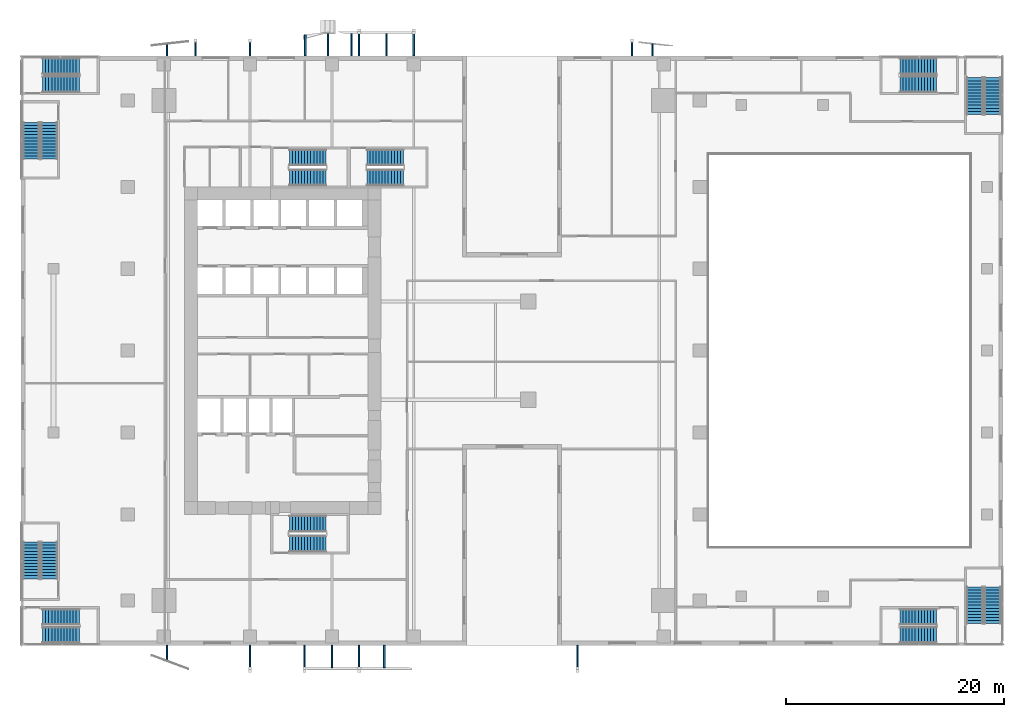
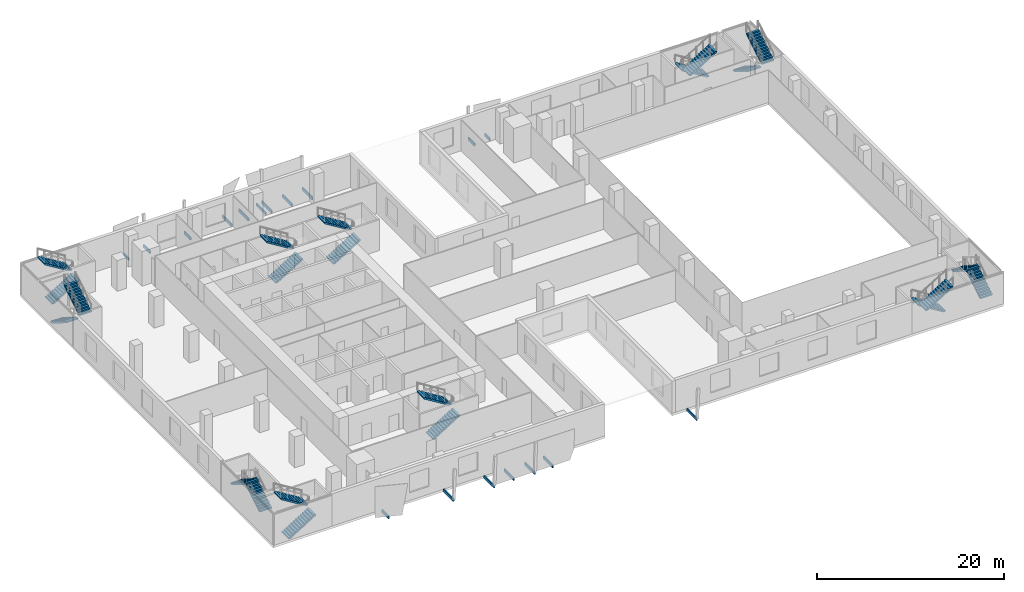
# One storey, part 15 of 21: 22 stair flights, 18 discrete accessories, 11 elements without a shape of their own.
"""IFC4 building model written with IfcOpenShell, lengths in metres."""

from ifc_helpers import new_model, si_unit, direction, frame, origin, origin_2d, place, context, subcontext, project, spatial, polyline, rectangle, outline, extrude, source, transform, mapped, material, type_object, element, aggregate, save


model = new_model("IFC4")

# Units and contexts
model_context = context("Model", 3, precision=1e-05, world=origin(), true_north=direction((0.0, 1.0)))
body_context = subcontext(model_context, "Body", "Model", "MODEL_VIEW")
ifc_project = project(units=[si_unit("LENGTHUNIT", "METRE"), si_unit("AREAUNIT", "SQUARE_METRE"), si_unit("VOLUMEUNIT", "CUBIC_METRE"), si_unit("PLANEANGLEUNIT", "RADIAN"), si_unit("MASSUNIT", "GRAM", prefix="KILO")], contexts=[model_context])

# Site, building, storey
site_placement = place(None, origin())
site = spatial("IfcSite", under=ifc_project, at=site_placement, CompositionType="ELEMENT")
building_placement = place(site_placement, origin())
building = spatial("IfcBuilding", under=site, at=building_placement, Name="Khomas Fold Tower", CompositionType="ELEMENT")
storey_placement = place(building_placement, frame((0.0, 0.0, 28.5)))
storey = spatial("IfcBuildingStorey", under=building, at=storey_placement, Name="L05", CompositionType="ELEMENT", Elevation=28.5)

# Stair, stair flights
ifc_material_1 = material(Name="Concrete C40/50", Category="concrete")
stair_type_1 = type_object("IfcStairType", Name="Stair ST1", PredefinedType="HALF_TURN_STAIR", material=ifc_material_1)
stair_1_placement = place(storey_placement, origin())
stair_1 = element("IfcStair", 1, at=stair_1_placement, inside=storey, type_object=stair_type_1, Name="L05 ST1", PredefinedType="HALF_TURN_STAIR")
ifc_material_2 = material(Name="Concrete C40/50", Category="concrete")
stair_flight_type_1 = type_object("IfcStairFlightType", Name="Stair flight 1500 ST1", PredefinedType="STRAIGHT", material=ifc_material_2)
shared_shape_1 = source(origin(), body_context, "Body", "SweptSolid", [
    extrude(outline(polyline([(0.0, 0.0), (0.0, 0.013427734375), (0.0, 0.026611328125), (0.0, 0.0400390625), (0.0, 0.05322265625), (0.0, 0.066650390625), (0.0, 0.079833984375), (0.0, 0.09326171875), (0.0, 0.1064453125), (0.0, 0.119873046875), (0.0, 0.133056640625), (0.0, 0.146484375), (0.0, 0.15966796875), (0.0, 0.173095703125), (0.280029296875, 0.173095703125), (0.280029296875, 0.34619140625), (0.56005859375, 0.34619140625), (0.56005859375, 0.519287109375), (0.840087890625, 0.519287109375), (0.840087890625, 0.6923828125), (1.1201171875, 0.6923828125), (1.1201171875, 0.865478515625), (1.39990234375, 0.865478515625), (1.39990234375, 1.03857421875), (1.679931640625, 1.03857421875), (1.679931640625, 1.21142578125), (1.9599609375, 1.21142578125), (1.9599609375, 1.384521484375), (2.239990234375, 1.384521484375), (2.239990234375, 1.5576171875), (2.52001953125, 1.5576171875), (2.52001953125, 1.730712890625), (2.800048828125, 1.730712890625), (2.800048828125, 1.90380859375), (3.080078125, 1.90380859375), (3.080078125, 2.076904296875), (3.360107421875, 2.076904296875), (3.360107421875, 2.25), (3.360107421875, 2.22314453125), (3.360107421875, 2.1962890625), (3.360107421875, 2.16943359375), (3.360107421875, 2.142578125), (3.360107421875, 2.11572265625), (3.360107421875, 2.0888671875), (3.360107421875, 2.06201171875), (3.360107421875, 2.03515625), (3.360107421875, 2.008056640625), (3.360107421875, 1.981201171875), (3.360107421875, 1.954345703125), (3.360107421875, 1.927490234375), (3.360107421875, 1.900634765625), (0.28515625, 0.0), (0.0, 0.0)])), frame((0.0, 0.75, 0.0), z_axis=(0.0, -1.0, 0.0), x_axis=(1.0, 0.0, 0.0)), (0.0, 0.0, 1.0), 1.5),
])
stair_flight_1_placement = place(storey_placement, frame((15.60009765625, 42.85009765625, 0.0), z_axis=(0.0, 0.0, 1.0), x_axis=(1.0, 0.0, 0.0)))
stair_flight_1 = element("IfcStairFlight", 2, at=stair_flight_1_placement, type_object=stair_flight_type_1, Name="ST1 flight 1", NumberOfRisers=13, NumberOfTreads=12, PredefinedType="STRAIGHT", RiserHeight=0.173076923, TreadLength=0.28, context=body_context, shape_type="MappedRepresentation", body=[
    mapped(shared_shape_1, transform((0.0, 0.0, 0.0))),
])
stair_flight_2_placement = place(storey_placement, frame((18.9599609375, 44.699951171875, 2.25), z_axis=(0.0, 0.0, 1.0), x_axis=(-1.0, 0.0, 0.0)))
stair_flight_2 = element("IfcStairFlight", 3, at=stair_flight_2_placement, type_object=stair_flight_type_1, Name="ST1 flight 2", NumberOfRisers=13, NumberOfTreads=12, PredefinedType="STRAIGHT", RiserHeight=0.173076923, TreadLength=0.28, context=body_context, shape_type="MappedRepresentation", body=[
    mapped(shared_shape_1, transform((0.0, 0.0, 0.0))),
])
aggregate(stair_1, [stair_flight_1, stair_flight_2])

ifc_material_3 = material(Name="Concrete C40/50", Category="concrete")
stair_type_2 = type_object("IfcStairType", Name="Stair ST2", PredefinedType="HALF_TURN_STAIR", material=ifc_material_3)
stair_2_placement = place(storey_placement, origin())
stair_2 = element("IfcStair", 4, at=stair_2_placement, inside=storey, type_object=stair_type_2, Name="L05 ST2", PredefinedType="HALF_TURN_STAIR")
ifc_material_4 = material(Name="Concrete C40/50", Category="concrete")
stair_flight_type_2 = type_object("IfcStairFlightType", Name="Stair flight 1500 ST2", PredefinedType="STRAIGHT", material=ifc_material_4)
stair_flight_3_placement = place(storey_placement, frame((15.60009765625, 9.300048828125, 0.0), z_axis=(0.0, 0.0, 1.0), x_axis=(1.0, 0.0, 0.0)))
stair_flight_3 = element("IfcStairFlight", 5, at=stair_flight_3_placement, type_object=stair_flight_type_2, Name="ST2 flight 1", NumberOfRisers=13, NumberOfTreads=12, PredefinedType="STRAIGHT", RiserHeight=0.173076923, TreadLength=0.28, context=body_context, shape_type="MappedRepresentation", body=[
    mapped(shared_shape_1, transform((0.0, 0.0, 0.0))),
])
stair_flight_4_placement = place(storey_placement, frame((18.9599609375, 11.14990234375, 2.25), z_axis=(0.0, 0.0, 1.0), x_axis=(-1.0, 0.0, 0.0)))
stair_flight_4 = element("IfcStairFlight", 6, at=stair_flight_4_placement, type_object=stair_flight_type_2, Name="ST2 flight 2", NumberOfRisers=13, NumberOfTreads=12, PredefinedType="STRAIGHT", RiserHeight=0.173076923, TreadLength=0.28, context=body_context, shape_type="MappedRepresentation", body=[
    mapped(shared_shape_1, transform((0.0, 0.0, 0.0))),
])
aggregate(stair_2, [stair_flight_3, stair_flight_4])

ifc_material_5 = material(Name="Concrete C40/50", Category="concrete")
stair_type_3 = type_object("IfcStairType", Name="Stair ST3", PredefinedType="HALF_TURN_STAIR", material=ifc_material_5)
stair_3_placement = place(storey_placement, origin())
stair_3 = element("IfcStair", 7, at=stair_3_placement, inside=storey, type_object=stair_type_3, Name="L05 ST3", PredefinedType="HALF_TURN_STAIR")
ifc_material_6 = material(Name="Concrete C40/50", Category="concrete")
stair_flight_type_3 = type_object("IfcStairFlightType", Name="Stair flight 1500 ST3", PredefinedType="STRAIGHT", material=ifc_material_6)
stair_flight_5_placement = place(storey_placement, frame((22.699951171875, 42.85009765625, 0.0), z_axis=(0.0, 0.0, 1.0), x_axis=(1.0, 0.0, 0.0)))
stair_flight_5 = element("IfcStairFlight", 8, at=stair_flight_5_placement, type_object=stair_flight_type_3, Name="ST3 flight 1", NumberOfRisers=13, NumberOfTreads=12, PredefinedType="STRAIGHT", RiserHeight=0.173076923, TreadLength=0.28, context=body_context, shape_type="MappedRepresentation", body=[
    mapped(shared_shape_1, transform((0.0, 0.0, 0.0))),
])
stair_flight_6_placement = place(storey_placement, frame((26.06005859375, 44.699951171875, 2.25), z_axis=(0.0, 0.0, 1.0), x_axis=(-1.0, 0.0, 0.0)))
stair_flight_6 = element("IfcStairFlight", 9, at=stair_flight_6_placement, type_object=stair_flight_type_3, Name="ST3 flight 2", NumberOfRisers=13, NumberOfTreads=12, PredefinedType="STRAIGHT", RiserHeight=0.173076923, TreadLength=0.28, context=body_context, shape_type="MappedRepresentation", body=[
    mapped(shared_shape_1, transform((0.0, 0.0, 0.0))),
])
aggregate(stair_3, [stair_flight_5, stair_flight_6])

ifc_material_7 = material(Name="Concrete C40/50", Category="concrete")
stair_type_4 = type_object("IfcStairType", Name="Stair PS1", PredefinedType="HALF_TURN_STAIR", material=ifc_material_7)
stair_4_placement = place(storey_placement, origin())
stair_4 = element("IfcStair", 10, at=stair_4_placement, inside=storey, type_object=stair_type_4, Name="L05 PS1", PredefinedType="HALF_TURN_STAIR")
ifc_material_8 = material(Name="Concrete C40/50", Category="concrete")
stair_flight_type_4 = type_object("IfcStairFlightType", Name="Stair flight 1500 PS1", PredefinedType="STRAIGHT", material=ifc_material_8)
stair_flight_7_placement = place(storey_placement, frame((-7.0, 0.949951171875, 0.0), z_axis=(0.0, 0.0, 1.0), x_axis=(1.0, 0.0, 0.0)))
stair_flight_7 = element("IfcStairFlight", 11, at=stair_flight_7_placement, type_object=stair_flight_type_4, Name="PS1 flight 1", NumberOfRisers=13, NumberOfTreads=12, PredefinedType="STRAIGHT", RiserHeight=0.173076923, TreadLength=0.28, context=body_context, shape_type="MappedRepresentation", body=[
    mapped(shared_shape_1, transform((0.0, 0.0, 0.0))),
])
stair_flight_8_placement = place(storey_placement, frame((-3.639892578125, 2.60009765625, 2.25), z_axis=(0.0, 0.0, 1.0), x_axis=(-1.0, 0.0, 0.0)))
stair_flight_8 = element("IfcStairFlight", 12, at=stair_flight_8_placement, type_object=stair_flight_type_4, Name="PS1 flight 2", NumberOfRisers=13, NumberOfTreads=12, PredefinedType="STRAIGHT", RiserHeight=0.173076923, TreadLength=0.28, context=body_context, shape_type="MappedRepresentation", body=[
    mapped(shared_shape_1, transform((0.0, 0.0, 0.0))),
])
aggregate(stair_4, [stair_flight_7, stair_flight_8])

ifc_material_9 = material(Name="Concrete C40/50", Category="concrete")
stair_type_5 = type_object("IfcStairType", Name="Stair PS2", PredefinedType="HALF_TURN_STAIR", material=ifc_material_9)
stair_5_placement = place(storey_placement, origin())
stair_5 = element("IfcStair", 13, at=stair_5_placement, inside=storey, type_object=stair_type_5, Name="L05 PS2", PredefinedType="HALF_TURN_STAIR")
ifc_material_10 = material(Name="Concrete C40/50", Category="concrete")
stair_flight_type_5 = type_object("IfcStairFlightType", Name="Stair flight 1500 PS2", PredefinedType="STRAIGHT", material=ifc_material_10)
stair_flight_9_placement = place(storey_placement, frame((-6.39990234375, 6.10009765625, 0.0), z_axis=(0.0, 0.0, 1.0), x_axis=(0.0, 1.0, 0.0)))
stair_flight_9 = element("IfcStairFlight", 14, at=stair_flight_9_placement, type_object=stair_flight_type_5, Name="PS2 flight 1", NumberOfRisers=13, NumberOfTreads=12, PredefinedType="STRAIGHT", RiserHeight=0.173076923, TreadLength=0.28, context=body_context, shape_type="MappedRepresentation", body=[
    mapped(shared_shape_1, transform((0.0, 0.0, 0.0))),
])
stair_flight_10_placement = place(storey_placement, frame((-8.050048828125, 9.4599609375, 2.25), z_axis=(0.0, 0.0, 1.0), x_axis=(0.0, -1.0, 0.0)))
stair_flight_10 = element("IfcStairFlight", 15, at=stair_flight_10_placement, type_object=stair_flight_type_5, Name="PS2 flight 2", NumberOfRisers=13, NumberOfTreads=12, PredefinedType="STRAIGHT", RiserHeight=0.173076923, TreadLength=0.28, context=body_context, shape_type="MappedRepresentation", body=[
    mapped(shared_shape_1, transform((0.0, 0.0, 0.0))),
])
aggregate(stair_5, [stair_flight_9, stair_flight_10])

ifc_material_11 = material(Name="Concrete C40/50", Category="concrete")
stair_type_6 = type_object("IfcStairType", Name="Stair PS3", PredefinedType="HALF_TURN_STAIR", material=ifc_material_11)
stair_6_placement = place(storey_placement, origin())
stair_6 = element("IfcStair", 16, at=stair_6_placement, inside=storey, type_object=stair_type_6, Name="L05 PS3", PredefinedType="HALF_TURN_STAIR")
ifc_material_12 = material(Name="Concrete C40/50", Category="concrete")
stair_flight_type_6 = type_object("IfcStairFlightType", Name="Stair flight 1500 PS3", PredefinedType="STRAIGHT", material=ifc_material_12)
stair_flight_11_placement = place(storey_placement, frame((74.89990234375, 2.60009765625, 0.0), z_axis=(0.0, 0.0, 1.0), x_axis=(-1.0, 0.0, 0.0)))
stair_flight_11 = element("IfcStairFlight", 17, at=stair_flight_11_placement, type_object=stair_flight_type_6, Name="PS3 flight 1", NumberOfRisers=13, NumberOfTreads=12, PredefinedType="STRAIGHT", RiserHeight=0.173076923, TreadLength=0.28, context=body_context, shape_type="MappedRepresentation", body=[
    mapped(shared_shape_1, transform((0.0, 0.0, 0.0))),
])
stair_flight_12_placement = place(storey_placement, frame((71.5400390625, 0.949951171875, 2.25), z_axis=(0.0, 0.0, 1.0), x_axis=(1.0, 0.0, 0.0)))
stair_flight_12 = element("IfcStairFlight", 18, at=stair_flight_12_placement, type_object=stair_flight_type_6, Name="PS3 flight 2", NumberOfRisers=13, NumberOfTreads=12, PredefinedType="STRAIGHT", RiserHeight=0.173076923, TreadLength=0.28, context=body_context, shape_type="MappedRepresentation", body=[
    mapped(shared_shape_1, transform((0.0, 0.0, 0.0))),
])
aggregate(stair_6, [stair_flight_11, stair_flight_12])

ifc_material_13 = material(Name="Concrete C40/50", Category="concrete")
stair_type_7 = type_object("IfcStairType", Name="Stair PS4", PredefinedType="HALF_TURN_STAIR", material=ifc_material_13)
stair_7_placement = place(storey_placement, origin())
stair_7 = element("IfcStair", 19, at=stair_7_placement, inside=storey, type_object=stair_type_7, Name="L05 PS4", PredefinedType="HALF_TURN_STAIR")
ifc_material_14 = material(Name="Concrete C40/50", Category="concrete")
stair_flight_type_7 = type_object("IfcStairFlightType", Name="Stair flight 1500 PS4", PredefinedType="STRAIGHT", material=ifc_material_14)
stair_flight_13_placement = place(storey_placement, frame((80.050048828125, 2.0, 0.0), z_axis=(0.0, 0.0, 1.0), x_axis=(0.0, 1.0, 0.0)))
stair_flight_13 = element("IfcStairFlight", 20, at=stair_flight_13_placement, type_object=stair_flight_type_7, Name="PS4 flight 1", NumberOfRisers=13, NumberOfTreads=12, PredefinedType="STRAIGHT", RiserHeight=0.173076923, TreadLength=0.28, context=body_context, shape_type="MappedRepresentation", body=[
    mapped(shared_shape_1, transform((0.0, 0.0, 0.0))),
])
stair_flight_14_placement = place(storey_placement, frame((78.39990234375, 5.360107421875, 2.25), z_axis=(0.0, 0.0, 1.0), x_axis=(0.0, -1.0, 0.0)))
stair_flight_14 = element("IfcStairFlight", 21, at=stair_flight_14_placement, type_object=stair_flight_type_7, Name="PS4 flight 2", NumberOfRisers=13, NumberOfTreads=12, PredefinedType="STRAIGHT", RiserHeight=0.173076923, TreadLength=0.28, context=body_context, shape_type="MappedRepresentation", body=[
    mapped(shared_shape_1, transform((0.0, 0.0, 0.0))),
])
aggregate(stair_7, [stair_flight_13, stair_flight_14])

ifc_material_15 = material(Name="Concrete C40/50", Category="concrete")
stair_type_8 = type_object("IfcStairType", Name="Stair PS5", PredefinedType="HALF_TURN_STAIR", material=ifc_material_15)
stair_8_placement = place(storey_placement, origin())
stair_8 = element("IfcStair", 22, at=stair_8_placement, inside=storey, type_object=stair_type_8, Name="L05 PS5", PredefinedType="HALF_TURN_STAIR")
ifc_material_16 = material(Name="Concrete C40/50", Category="concrete")
stair_flight_type_8 = type_object("IfcStairFlightType", Name="Stair flight 1500 PS5", PredefinedType="STRAIGHT", material=ifc_material_16)
stair_flight_15_placement = place(storey_placement, frame((74.89990234375, 53.050048828125, 0.0), z_axis=(0.0, 0.0, 1.0), x_axis=(-1.0, 0.0, 0.0)))
stair_flight_15 = element("IfcStairFlight", 23, at=stair_flight_15_placement, type_object=stair_flight_type_8, Name="PS5 flight 1", NumberOfRisers=13, NumberOfTreads=12, PredefinedType="STRAIGHT", RiserHeight=0.173076923, TreadLength=0.28, context=body_context, shape_type="MappedRepresentation", body=[
    mapped(shared_shape_1, transform((0.0, 0.0, 0.0))),
])
stair_flight_16_placement = place(storey_placement, frame((71.5400390625, 51.39990234375, 2.25), z_axis=(0.0, 0.0, 1.0), x_axis=(1.0, 0.0, 0.0)))
stair_flight_16 = element("IfcStairFlight", 24, at=stair_flight_16_placement, type_object=stair_flight_type_8, Name="PS5 flight 2", NumberOfRisers=13, NumberOfTreads=12, PredefinedType="STRAIGHT", RiserHeight=0.173076923, TreadLength=0.28, context=body_context, shape_type="MappedRepresentation", body=[
    mapped(shared_shape_1, transform((0.0, 0.0, 0.0))),
])
aggregate(stair_8, [stair_flight_15, stair_flight_16])

ifc_material_17 = material(Name="Concrete C40/50", Category="concrete")
stair_type_9 = type_object("IfcStairType", Name="Stair PS6", PredefinedType="HALF_TURN_STAIR", material=ifc_material_17)
stair_9_placement = place(storey_placement, origin())
stair_9 = element("IfcStair", 25, at=stair_9_placement, inside=storey, type_object=stair_type_9, Name="L05 PS6", PredefinedType="HALF_TURN_STAIR")
ifc_material_18 = material(Name="Concrete C40/50", Category="concrete")
stair_flight_type_9 = type_object("IfcStairFlightType", Name="Stair flight 1500 PS6", PredefinedType="STRAIGHT", material=ifc_material_18)
stair_flight_17_placement = place(storey_placement, frame((78.39990234375, 52.0, 0.0), z_axis=(0.0, 0.0, 1.0), x_axis=(0.0, -1.0, 0.0)))
stair_flight_17 = element("IfcStairFlight", 26, at=stair_flight_17_placement, type_object=stair_flight_type_9, Name="PS6 flight 1", NumberOfRisers=13, NumberOfTreads=12, PredefinedType="STRAIGHT", RiserHeight=0.173076923, TreadLength=0.28, context=body_context, shape_type="MappedRepresentation", body=[
    mapped(shared_shape_1, transform((0.0, 0.0, 0.0))),
])
stair_flight_18_placement = place(storey_placement, frame((80.050048828125, 48.639892578125, 2.25), z_axis=(0.0, 0.0, 1.0), x_axis=(0.0, 1.0, 0.0)))
stair_flight_18 = element("IfcStairFlight", 27, at=stair_flight_18_placement, type_object=stair_flight_type_9, Name="PS6 flight 2", NumberOfRisers=13, NumberOfTreads=12, PredefinedType="STRAIGHT", RiserHeight=0.173076923, TreadLength=0.28, context=body_context, shape_type="MappedRepresentation", body=[
    mapped(shared_shape_1, transform((0.0, 0.0, 0.0))),
])
aggregate(stair_9, [stair_flight_17, stair_flight_18])

ifc_material_19 = material(Name="Concrete C40/50", Category="concrete")
stair_type_10 = type_object("IfcStairType", Name="Stair PS7", PredefinedType="HALF_TURN_STAIR", material=ifc_material_19)
stair_10_placement = place(storey_placement, origin())
stair_10 = element("IfcStair", 28, at=stair_10_placement, inside=storey, type_object=stair_type_10, Name="L05 PS7", PredefinedType="HALF_TURN_STAIR")
ifc_material_20 = material(Name="Concrete C40/50", Category="concrete")
stair_flight_type_10 = type_object("IfcStairFlightType", Name="Stair flight 1500 PS7", PredefinedType="STRAIGHT", material=ifc_material_20)
stair_flight_19_placement = place(storey_placement, frame((-7.0, 51.39990234375, 0.0), z_axis=(0.0, 0.0, 1.0), x_axis=(1.0, 0.0, 0.0)))
stair_flight_19 = element("IfcStairFlight", 29, at=stair_flight_19_placement, type_object=stair_flight_type_10, Name="PS7 flight 1", NumberOfRisers=13, NumberOfTreads=12, PredefinedType="STRAIGHT", RiserHeight=0.173076923, TreadLength=0.28, context=body_context, shape_type="MappedRepresentation", body=[
    mapped(shared_shape_1, transform((0.0, 0.0, 0.0))),
])
stair_flight_20_placement = place(storey_placement, frame((-3.639892578125, 53.050048828125, 2.25), z_axis=(0.0, 0.0, 1.0), x_axis=(-1.0, 0.0, 0.0)))
stair_flight_20 = element("IfcStairFlight", 30, at=stair_flight_20_placement, type_object=stair_flight_type_10, Name="PS7 flight 2", NumberOfRisers=13, NumberOfTreads=12, PredefinedType="STRAIGHT", RiserHeight=0.173076923, TreadLength=0.28, context=body_context, shape_type="MappedRepresentation", body=[
    mapped(shared_shape_1, transform((0.0, 0.0, 0.0))),
])
aggregate(stair_10, [stair_flight_19, stair_flight_20])

ifc_material_21 = material(Name="Concrete C40/50", Category="concrete")
stair_type_11 = type_object("IfcStairType", Name="Stair PS8", PredefinedType="HALF_TURN_STAIR", material=ifc_material_21)
stair_11_placement = place(storey_placement, origin())
stair_11 = element("IfcStair", 31, at=stair_11_placement, inside=storey, type_object=stair_type_11, Name="L05 PS8", PredefinedType="HALF_TURN_STAIR")
ifc_material_22 = material(Name="Concrete C40/50", Category="concrete")
stair_flight_type_11 = type_object("IfcStairFlightType", Name="Stair flight 1500 PS8", PredefinedType="STRAIGHT", material=ifc_material_22)
stair_flight_21_placement = place(storey_placement, frame((-8.050048828125, 47.89990234375, 0.0), z_axis=(0.0, 0.0, 1.0), x_axis=(0.0, -1.0, 0.0)))
stair_flight_21 = element("IfcStairFlight", 32, at=stair_flight_21_placement, type_object=stair_flight_type_11, Name="PS8 flight 1", NumberOfRisers=13, NumberOfTreads=12, PredefinedType="STRAIGHT", RiserHeight=0.173076923, TreadLength=0.28, context=body_context, shape_type="MappedRepresentation", body=[
    mapped(shared_shape_1, transform((0.0, 0.0, 0.0))),
])
stair_flight_22_placement = place(storey_placement, frame((-6.39990234375, 44.5400390625, 2.25), z_axis=(0.0, 0.0, 1.0), x_axis=(0.0, 1.0, 0.0)))
stair_flight_22 = element("IfcStairFlight", 33, at=stair_flight_22_placement, type_object=stair_flight_type_11, Name="PS8 flight 2", NumberOfRisers=13, NumberOfTreads=12, PredefinedType="STRAIGHT", RiserHeight=0.173076923, TreadLength=0.28, context=body_context, shape_type="MappedRepresentation", body=[
    mapped(shared_shape_1, transform((0.0, 0.0, 0.0))),
])
aggregate(stair_11, [stair_flight_21, stair_flight_22])

# Discrete accessories
ifc_material_23 = material(Name="Stainless steel", Category="steel")
discrete_accessory_type = type_object("IfcDiscreteAccessoryType", Name="SK-Stainless steel stone bracket", PredefinedType="BRACKET", material=ifc_material_23)
shared_shape_2 = source(origin(), body_context, "Body", "SweptSolid", [
    extrude(rectangle(XDim=1.098388671875, YDim=0.14990234375, at=origin_2d()), origin(), (0.0, 0.0, 1.0), 0.360107421875),
])
discrete_accessory_1_placement = place(storey_placement, frame((48.88623046875, 54.54931640625, -0.30029296875), z_axis=(0.0, 0.0, 1.0), x_axis=(0.0, 1.0, 0.0)))
element("IfcDiscreteAccessory", 34, at=discrete_accessory_1_placement, inside=storey, type_object=discrete_accessory_type, Name="Stone bracket L05 NG107-10-1", PredefinedType="BRACKET", context=body_context, shape_type="MappedRepresentation", body=[
    mapped(shared_shape_2, transform((0.0, 0.0, 0.0))),
])
shared_shape_3 = source(origin(), body_context, "Body", "SweptSolid", [
    extrude(rectangle(XDim=2.027099609375, YDim=0.14990234375, at=origin_2d()), origin(), (0.0, 0.0, 1.0), 0.360107421875),
])
for number, where, z_axis, x_axis, name in (
    (35, (19.1357421875, 55.013671875, -0.30029296875), (0.0, 0.0, 1.0), (0.0, 1.0, 0.0), "Stone bracket L05 NS05-1-1"),
    (36, (19.5, -1.013671875, -0.30029296875), (0.0, 0.0, 1.0), (0.0, -1.0, 0.0), "Stone bracket L05 SG101-4-1"),
    (37, (24.29443359375, -1.013671875, -0.30029296875), (0.0, 0.0, 1.0), (0.0, -1.0, 0.0), "Stone bracket L05 SG102-6-1"),
    (38, (21.28662109375, 55.013671875, -0.30029296875), (0.0, 0.0, 1.0), (0.0, 1.0, 0.0), "Stone bracket L05 NG101-5-1"),
    (39, (24.5, 55.013671875, -0.30029296875), (0.0, 0.0, 1.0), (0.0, 1.0, 0.0), "Stone bracket L05 NG102-7-1"),
):
    element("IfcDiscreteAccessory", number, at=place(storey_placement, frame(where, z_axis=z_axis, x_axis=x_axis)), inside=storey, type_object=discrete_accessory_type, Name=name, PredefinedType="BRACKET", context=body_context, shape_type="MappedRepresentation", body=[
        mapped(shared_shape_3, transform((0.0, 0.0, 0.0))),
    ])
shared_shape_4 = source(origin(), body_context, "Body", "SweptSolid", [
    extrude(rectangle(XDim=1.467529296875, YDim=0.14990234375, at=origin_2d()), origin(), (0.0, 0.0, 1.0), 0.360107421875),
])
discrete_accessory_2_placement = place(storey_placement, frame((4.38623046875, -0.733642578125, -0.30029296875), z_axis=(0.0, 0.0, 1.0), x_axis=(0.0, -1.0, 0.0)))
element("IfcDiscreteAccessory", 40, at=discrete_accessory_2_placement, inside=storey, type_object=discrete_accessory_type, Name="Stone bracket L05 SG098-1-1", PredefinedType="BRACKET", context=body_context, shape_type="MappedRepresentation", body=[
    mapped(shared_shape_4, transform((0.0, 0.0, 0.0))),
])
shared_shape_5 = source(origin(), body_context, "Body", "SweptSolid", [
    extrude(rectangle(XDim=2.1220703125, YDim=0.14990234375, at=origin_2d()), origin(), (0.0, 0.0, 1.0), 0.360107421875),
])
for number, where, z_axis, x_axis, name in (
    (41, (12.0, -1.06103515625, -0.30029296875), (0.0, 0.0, 1.0), (0.0, -1.0, 0.0), "Stone bracket L05 SM100-2-1"),
    (42, (17.0, -1.06103515625, -0.30029296875), (0.0, 0.0, 1.0), (0.0, -1.0, 0.0), "Stone bracket L05 SM101-3-1"),
    (43, (22.0, -1.06103515625, -0.30029296875), (0.0, 0.0, 1.0), (0.0, -1.0, 0.0), "Stone bracket L05 SM102-5-1"),
    (44, (42.0, -1.06103515625, -0.30029296875), (0.0, 0.0, 1.0), (0.0, -1.0, 0.0), "Stone bracket L05 SM106-7-1"),
    (45, (22.0, 55.06103515625, -0.30029296875), (0.0, 0.0, 1.0), (0.0, 1.0, 0.0), "Stone bracket L05 NM102-6-1"),
    (46, (27.0, 55.06103515625, -0.30029296875), (0.0, 0.0, 1.0), (0.0, 1.0, 0.0), "Stone bracket L05 NM103-8-1"),
):
    element("IfcDiscreteAccessory", number, at=place(storey_placement, frame(where, z_axis=z_axis, x_axis=x_axis)), inside=storey, type_object=discrete_accessory_type, Name=name, PredefinedType="BRACKET", context=body_context, shape_type="MappedRepresentation", body=[
        mapped(shared_shape_5, transform((0.0, 0.0, 0.0))),
    ])
shared_shape_6 = source(origin(), body_context, "Body", "SweptSolid", [
    extrude(rectangle(XDim=1.087646484375, YDim=0.14990234375, at=origin_2d()), origin(), (0.0, 0.0, 1.0), 0.360107421875),
])
discrete_accessory_3_placement = place(storey_placement, frame((4.38623046875, 54.5439453125, -0.30029296875), z_axis=(0.0, 0.0, 1.0), x_axis=(0.0, 1.0, 0.0)))
element("IfcDiscreteAccessory", 47, at=discrete_accessory_3_placement, inside=storey, type_object=discrete_accessory_type, Name="Stone bracket L05 NG098-1-1", PredefinedType="BRACKET", context=body_context, shape_type="MappedRepresentation", body=[
    mapped(shared_shape_6, transform((0.0, 0.0, 0.0))),
])
shared_shape_7 = source(origin(), body_context, "Body", "SweptSolid", [
    extrude(rectangle(XDim=1.3505859375, YDim=0.14990234375, at=origin_2d()), origin(), (0.0, 0.0, 1.0), 0.360107421875),
])
for number, where, z_axis, x_axis, name in (
    (48, (7.0, 54.67529296875, -0.30029296875), (0.0, 0.0, 1.0), (0.0, 1.0, 0.0), "Stone bracket L05 NM099-2-1"),
    (49, (12.0, 54.67529296875, -0.30029296875), (0.0, 0.0, 1.0), (0.0, 1.0, 0.0), "Stone bracket L05 NM100-3-1"),
    (50, (47.0, 54.67529296875, -0.30029296875), (0.0, 0.0, 1.0), (0.0, 1.0, 0.0), "Stone bracket L05 NM107-9-1"),
):
    element("IfcDiscreteAccessory", number, at=place(storey_placement, frame(where, z_axis=z_axis, x_axis=x_axis)), inside=storey, type_object=discrete_accessory_type, Name=name, PredefinedType="BRACKET", context=body_context, shape_type="MappedRepresentation", body=[
        mapped(shared_shape_7, transform((0.0, 0.0, 0.0))),
    ])
shared_shape_8 = source(origin(), body_context, "Body", "SweptSolid", [
    extrude(rectangle(XDim=1.942138671875, YDim=0.14990234375, at=origin_2d()), origin(), (0.0, 0.0, 1.0), 0.360107421875),
])
discrete_accessory_4_placement = place(storey_placement, frame((17.05810546875, 54.97119140625, -0.30029296875), z_axis=(0.0, 0.0, 1.0), x_axis=(0.0, 1.0, 0.0)))
element("IfcDiscreteAccessory", 51, at=discrete_accessory_4_placement, inside=storey, type_object=discrete_accessory_type, Name="Stone bracket L05 NG101-4-1", PredefinedType="BRACKET", context=body_context, shape_type="MappedRepresentation", body=[
    mapped(shared_shape_8, transform((0.0, 0.0, 0.0))),
])

save(model, "model.ifc")
